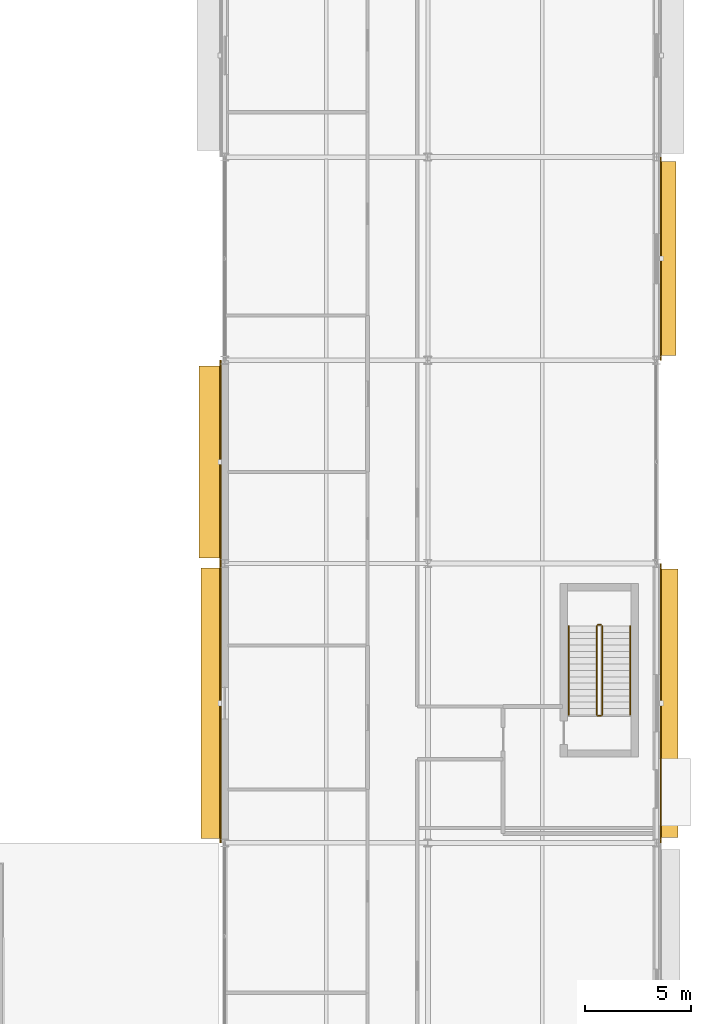
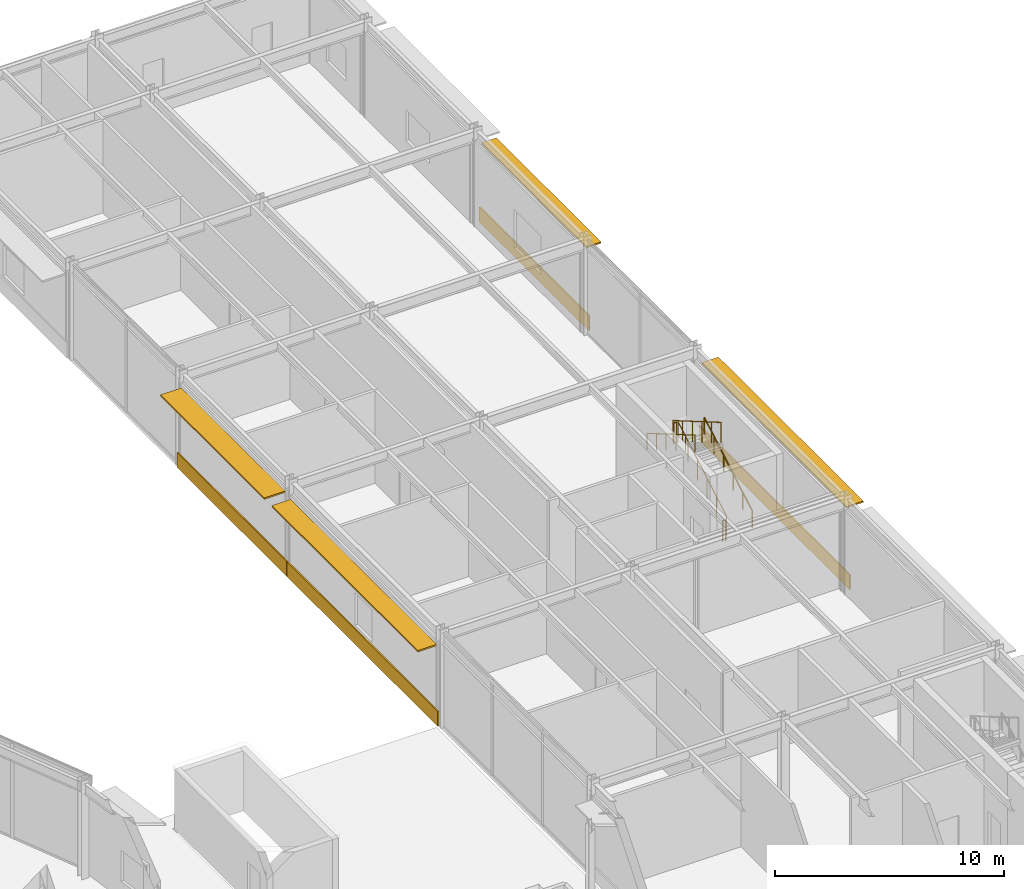
# One storey, part 166 of 168: 6 railings, 4 coverings, 4 shading devices.
"""IFC4 building model written with IfcOpenShell, lengths in metres."""

from ifc_helpers import new_model, si_unit, direction, frame, origin, origin_2d, place, context, subcontext, project, spatial, rectangle, circle, extrude, material, layer, layer_set, type_object, element, save


model = new_model("IFC4")

# Units and contexts
model_context = context("Model", 3, precision=1e-05, world=origin(), true_north=direction((0.0, 1.0)))
body_context = subcontext(model_context, "Body", "Model", "MODEL_VIEW")
ifc_project = project(units=[si_unit("LENGTHUNIT", "METRE"), si_unit("AREAUNIT", "SQUARE_METRE"), si_unit("VOLUMEUNIT", "CUBIC_METRE"), si_unit("PLANEANGLEUNIT", "RADIAN"), si_unit("MASSUNIT", "GRAM", prefix="KILO")], contexts=[model_context])

# Site, building, storey
site_placement = place(None, origin())
site = spatial("IfcSite", under=ifc_project, at=site_placement, CompositionType="ELEMENT")
building_placement = place(site_placement, origin())
building = spatial("IfcBuilding", under=site, at=building_placement, Name="Almandine Court Research Institute", CompositionType="ELEMENT")
storey_placement = place(building_placement, origin())
storey = spatial("IfcBuildingStorey", under=building, at=storey_placement, Name="L00", CompositionType="ELEMENT", Elevation=0.0)

# Coverings
ifc_material_1 = material(Name="Honed Andean Red-Buff Sandstone Cladding", Category="masonry")
ifc_layer_1 = layer(ifc_material_1, 0.06494140625)
ifc_layer_set_1 = layer_set([ifc_layer_1], Name="Honed Andean Red-Buff Sandstone Cladding")
covering_type = type_object("IfcCoveringType", Name="Cov-CLAD-SAND", PredefinedType="CLADDING", material=ifc_layer_set_1)
covering_1_placement = place(storey_placement, frame((153.39892578125, 77.39990234375, 0.02001953125), z_axis=(0.0, 0.0, 1.0), x_axis=(0.0, 1.0, 0.0)))
element("IfcCovering", 1, at=covering_1_placement, inside=storey, type_object=covering_type, Name="L00 Facade Spandrel Cladding Band 101", PredefinedType="CLADDING", context=body_context, shape_type="SweptSolid", body=[
    extrude(rectangle(XDim=13.19189453125, YDim=0.06494140625, at=origin_2d()), origin(), (0.0, 0.0, 1.0), 0.800048828125),
])
for number, where, z_axis, x_axis, name in (
    (2, (153.39892578125, 88.800048828125, 0.02001953125), (0.0, 0.0, 1.0), (0.0, 1.0, 0.0), "L00 Facade Spandrel Cladding Band 102"),
    (3, (174.200927734375, 98.39990234375, 0.02001953125), (0.0, 0.0, 1.0), (0.0, -1.0, 0.0), "L00 Facade Spandrel Cladding Band 109"),
):
    element("IfcCovering", number, at=place(storey_placement, frame(where, z_axis=z_axis, x_axis=x_axis)), inside=storey, type_object=covering_type, Name=name, PredefinedType="CLADDING", context=body_context, shape_type="SweptSolid", body=[
        extrude(rectangle(XDim=9.592041015625, YDim=0.06494140625, at=origin_2d()), origin(), (0.0, 0.0, 1.0), 0.800048828125),
    ])
covering_2_placement = place(storey_placement, frame((174.200927734375, 77.39990234375, 0.02001953125), z_axis=(0.0, 0.0, 1.0), x_axis=(0.0, -1.0, 0.0)))
element("IfcCovering", 4, at=covering_2_placement, inside=storey, type_object=covering_type, Name="L00 Facade Spandrel Cladding Band 110", PredefinedType="CLADDING", context=body_context, shape_type="SweptSolid", body=[
    extrude(rectangle(XDim=13.19189453125, YDim=0.06494140625, at=origin_2d()), origin(), (0.0, 0.0, 1.0), 0.800048828125),
])

# Railings
ifc_material_2 = material(Name="Powder-Coated Steel Stair and Atrium Balustrade", Category="steel")
railing_type_1 = type_object("IfcRailingType", Name="Rail-GUARD-INT", PredefinedType="BALUSTRADE", material=ifc_material_2)
railing_1_placement = place(storey_placement, frame((171.429931640625, 76.85009765625, 0.175048828125)))
element("IfcRailing", 5, at=railing_1_placement, inside=storey, type_object=railing_type_1, Name="L00 ST-13 stair guard 1", PredefinedType="BALUSTRADE", context=body_context, shape_type="SweptSolid", body=[
    extrude(circle(Radius=0.02392578125, at=origin_2d()), frame((0.0, 0.0, 1.09619140625), z_axis=(0.0, 0.863780722019, 0.50386790359), x_axis=(-1.0, 0.0, 0.0)), (0.0, 0.0, 1.0), 4.8623046875),
    extrude(circle(Radius=0.02099609375, at=origin_2d()), origin(), (0.0, 0.0, 1.0), 1.072021484375),
    extrude(circle(Radius=0.02099609375, at=origin_2d()), frame((0.0, 0.840087890625, 0.489990234375)), (0.0, 0.0, 1.0), 1.072021484375),
    extrude(circle(Radius=0.02099609375, at=origin_2d()), frame((0.0, 1.679931640625, 0.97998046875)), (0.0, 0.0, 1.0), 1.072021484375),
    extrude(circle(Radius=0.02099609375, at=origin_2d()), frame((0.0, 2.52001953125, 1.469970703125)), (0.0, 0.0, 1.0), 1.072021484375),
    extrude(circle(Radius=0.02099609375, at=origin_2d()), frame((0.0, 3.35986328125, 1.9599609375)), (0.0, 0.0, 1.0), 1.072021484375),
    extrude(circle(Radius=0.02099609375, at=origin_2d()), frame((0.0, 4.199951171875, 2.449951171875)), (0.0, 0.0, 1.0), 1.072021484375),
])
railing_2_placement = place(storey_placement, frame((171.3798828125, 81.10009765625, 2.625)))
element("IfcRailing", 6, at=railing_2_placement, inside=storey, type_object=railing_type_1, Name="L00 ST-13 stair guard 2", PredefinedType="BALUSTRADE", context=body_context, shape_type="SweptSolid", body=[
    extrude(circle(Radius=0.02392578125, at=origin_2d()), frame((0.0, 0.0, 1.09619140625), z_axis=(-1.0, 0.0, 0.0), x_axis=(0.0, -1.0, 0.0)), (0.0, 0.0, 1.0), 0.159912109375),
    extrude(circle(Radius=0.02099609375, at=origin_2d()), origin(), (0.0, 0.0, 1.0), 1.072021484375),
    extrude(circle(Radius=0.02099609375, at=origin_2d()), frame((-0.159912109375, 0.0, 0.0)), (0.0, 0.0, 1.0), 1.072021484375),
])
railing_3_placement = place(storey_placement, frame((171.169921875, 81.050048828125, 2.800048828125)))
element("IfcRailing", 7, at=railing_3_placement, inside=storey, type_object=railing_type_1, Name="L00 ST-13 stair guard 3", PredefinedType="BALUSTRADE", context=body_context, shape_type="SweptSolid", body=[
    extrude(circle(Radius=0.02392578125, at=origin_2d()), frame((0.0, 0.0, 1.09619140625), z_axis=(0.0, -0.863780722019, 0.50386790359), x_axis=(1.0, 0.0, 0.0)), (0.0, 0.0, 1.0), 4.8623046875),
    extrude(circle(Radius=0.02099609375, at=origin_2d()), origin(), (0.0, 0.0, 1.0), 1.072021484375),
    extrude(circle(Radius=0.02099609375, at=origin_2d()), frame((0.0, -0.840087890625, 0.489990234375)), (0.0, 0.0, 1.0), 1.072021484375),
    extrude(circle(Radius=0.02099609375, at=origin_2d()), frame((0.0, -1.679931640625, 0.97998046875)), (0.0, 0.0, 1.0), 1.072021484375),
    extrude(circle(Radius=0.02099609375, at=origin_2d()), frame((0.0, -2.52001953125, 1.469970703125)), (0.0, 0.0, 1.0), 1.072021484375),
    extrude(circle(Radius=0.02099609375, at=origin_2d()), frame((0.0, -3.35986328125, 1.9599609375)), (0.0, 0.0, 1.0), 1.072021484375),
    extrude(circle(Radius=0.02099609375, at=origin_2d()), frame((0.0, -4.199951171875, 2.449951171875)), (0.0, 0.0, 1.0), 1.072021484375),
])
railing_4_placement = place(storey_placement, frame((171.3798828125, 76.800048828125, 0.0)))
element("IfcRailing", 8, at=railing_4_placement, inside=storey, type_object=railing_type_1, Name="L00 ST-13 stair guard 4", PredefinedType="BALUSTRADE", context=body_context, shape_type="SweptSolid", body=[
    extrude(circle(Radius=0.02392578125, at=origin_2d()), frame((0.0, 0.0, 1.09619140625), z_axis=(-1.0, 0.0, 0.0), x_axis=(0.0, -1.0, 0.0)), (0.0, 0.0, 1.0), 0.159912109375),
    extrude(circle(Radius=0.02099609375, at=origin_2d()), origin(), (0.0, 0.0, 1.0), 1.072021484375),
    extrude(circle(Radius=0.02099609375, at=origin_2d()), frame((-0.159912109375, 0.0, 0.0)), (0.0, 0.0, 1.0), 1.072021484375),
])
ifc_material_3 = material(Name="Brushed Stainless Steel Wall Handrail", Category="steel")
railing_type_2 = type_object("IfcRailingType", Name="Rail-HAND-INT", PredefinedType="HANDRAIL", material=ifc_material_3)
railing_5_placement = place(storey_placement, frame((172.75, 76.85009765625, 0.175048828125)))
element("IfcRailing", 9, at=railing_5_placement, inside=storey, type_object=railing_type_2, Name="L00 ST-13 stair handrail 1", PredefinedType="HANDRAIL", context=body_context, shape_type="SweptSolid", body=[
    extrude(circle(Radius=0.02392578125, at=origin_2d()), frame((0.0, 0.0, 0.8759765625), z_axis=(0.0, 0.863780722019, 0.50386790359), x_axis=(-1.0, 0.0, 0.0)), (0.0, 0.0, 1.0), 4.8623046875),
    extrude(circle(Radius=0.02099609375, at=origin_2d()), origin(), (0.0, 0.0, 1.0), 0.851806640625),
    extrude(circle(Radius=0.02099609375, at=origin_2d()), frame((0.0, 0.840087890625, 0.489990234375)), (0.0, 0.0, 1.0), 0.851806640625),
    extrude(circle(Radius=0.02099609375, at=origin_2d()), frame((0.0, 1.679931640625, 0.97998046875)), (0.0, 0.0, 1.0), 0.851806640625),
    extrude(circle(Radius=0.02099609375, at=origin_2d()), frame((0.0, 2.52001953125, 1.469970703125)), (0.0, 0.0, 1.0), 0.851806640625),
    extrude(circle(Radius=0.02099609375, at=origin_2d()), frame((0.0, 3.35986328125, 1.9599609375)), (0.0, 0.0, 1.0), 0.851806640625),
    extrude(circle(Radius=0.02099609375, at=origin_2d()), frame((0.0, 4.199951171875, 2.449951171875)), (0.0, 0.0, 1.0), 0.851806640625),
])
railing_6_placement = place(storey_placement, frame((169.85009765625, 81.050048828125, 2.800048828125)))
element("IfcRailing", 10, at=railing_6_placement, inside=storey, type_object=railing_type_2, Name="L00 ST-13 stair handrail 2", PredefinedType="HANDRAIL", context=body_context, shape_type="SweptSolid", body=[
    extrude(circle(Radius=0.02392578125, at=origin_2d()), frame((0.0, 0.0, 0.8759765625), z_axis=(0.0, -0.863780722019, 0.50386790359), x_axis=(1.0, 0.0, 0.0)), (0.0, 0.0, 1.0), 4.8623046875),
    extrude(circle(Radius=0.02099609375, at=origin_2d()), origin(), (0.0, 0.0, 1.0), 0.851806640625),
    extrude(circle(Radius=0.02099609375, at=origin_2d()), frame((0.0, -0.840087890625, 0.489990234375)), (0.0, 0.0, 1.0), 0.851806640625),
    extrude(circle(Radius=0.02099609375, at=origin_2d()), frame((0.0, -1.679931640625, 0.97998046875)), (0.0, 0.0, 1.0), 0.851806640625),
    extrude(circle(Radius=0.02099609375, at=origin_2d()), frame((0.0, -2.52001953125, 1.469970703125)), (0.0, 0.0, 1.0), 0.851806640625),
    extrude(circle(Radius=0.02099609375, at=origin_2d()), frame((0.0, -3.35986328125, 1.9599609375)), (0.0, 0.0, 1.0), 0.851806640625),
    extrude(circle(Radius=0.02099609375, at=origin_2d()), frame((0.0, -4.199951171875, 2.449951171875)), (0.0, 0.0, 1.0), 0.851806640625),
])

# Shading devices
ifc_material_4 = material(Name="Precast GFRC Chhajja Sunshade and Acoustic Louvre", Category="concrete")
ifc_layer_2 = layer(ifc_material_4, 0.080078125)
ifc_layer_set_2 = layer_set([ifc_layer_2], Name="Precast GFRC Chhajja Sunshade and Acoustic Louvre")
shading_device_type_1 = type_object("IfcShadingDeviceType", Name="Shd-SD-06", PredefinedType="AWNING", material=ifc_layer_set_2)
shading_device_1_placement = place(storey_placement, frame((152.9150390625, 88.800048828125, 4.31298828125), z_axis=(0.0, 0.0, 1.0), x_axis=(0.0, 1.0, 0.0)))
element("IfcShadingDevice", 11, at=shading_device_1_placement, inside=storey, type_object=shading_device_type_1, Name="L00 Projecting Chhajja Sunshade 62", PredefinedType="AWNING", context=body_context, shape_type="SweptSolid", body=[
    extrude(rectangle(XDim=9.08203125, YDim=1.050048828125, at=origin_2d()), origin(), (0.0, 0.0, 1.0), 0.080078125),
])
ifc_layer_3 = layer(ifc_material_4, 0.080078125)
ifc_layer_set_3 = layer_set([ifc_layer_3], Name="Precast GFRC Chhajja Sunshade and Acoustic Louvre")
shading_device_type_2 = type_object("IfcShadingDeviceType", Name="Shd-SD-33", PredefinedType="AWNING", material=ifc_layer_set_3)
shading_device_2_placement = place(storey_placement, frame((174.534912109375, 98.39990234375, 4.303955078125), z_axis=(0.0, 0.0, 1.0), x_axis=(0.0, -1.0, 0.0)))
element("IfcShadingDevice", 12, at=shading_device_2_placement, inside=storey, type_object=shading_device_type_2, Name="L00 Projecting Chhajja Sunshade 69", PredefinedType="AWNING", context=body_context, shape_type="SweptSolid", body=[
    extrude(rectangle(XDim=9.162109375, YDim=0.75, at=origin_2d()), origin(), (0.0, 0.0, 1.0), 0.080078125),
])
ifc_layer_4 = layer(ifc_material_4, 0.080078125)
ifc_layer_set_4 = layer_set([ifc_layer_4], Name="Precast GFRC Chhajja Sunshade and Acoustic Louvre")
shading_device_type_3 = type_object("IfcShadingDeviceType", Name="Shd-SD-38", PredefinedType="AWNING", material=ifc_layer_set_4)
shading_device_3_placement = place(storey_placement, frame((152.965087890625, 77.39990234375, 4.161865234375), z_axis=(0.0, 0.0, 1.0), x_axis=(0.0, 1.0, 0.0)))
element("IfcShadingDevice", 13, at=shading_device_3_placement, inside=storey, type_object=shading_device_type_3, Name="L00 Projecting Chhajja Sunshade 61", PredefinedType="AWNING", context=body_context, shape_type="SweptSolid", body=[
    extrude(rectangle(XDim=12.761962890625, YDim=0.949951171875, at=origin_2d()), origin(), (0.0, 0.0, 1.0), 0.080078125),
])
ifc_layer_5 = layer(ifc_material_4, 0.080078125)
ifc_layer_set_5 = layer_set([ifc_layer_5], Name="Precast GFRC Chhajja Sunshade and Acoustic Louvre")
shading_device_type_4 = type_object("IfcShadingDeviceType", Name="Shd-SD-42", PredefinedType="AWNING", material=ifc_layer_set_5)
shading_device_4_placement = place(storey_placement, frame((174.5849609375, 77.39990234375, 4.23583984375), z_axis=(0.0, 0.0, 1.0), x_axis=(0.0, -1.0, 0.0)))
element("IfcShadingDevice", 14, at=shading_device_4_placement, inside=storey, type_object=shading_device_type_4, Name="L00 Projecting Chhajja Sunshade 70", PredefinedType="AWNING", context=body_context, shape_type="SweptSolid", body=[
    extrude(rectangle(XDim=12.681884765625, YDim=0.85009765625, at=origin_2d()), origin(), (0.0, 0.0, 1.0), 0.080078125),
])

save(model, "model.ifc")
